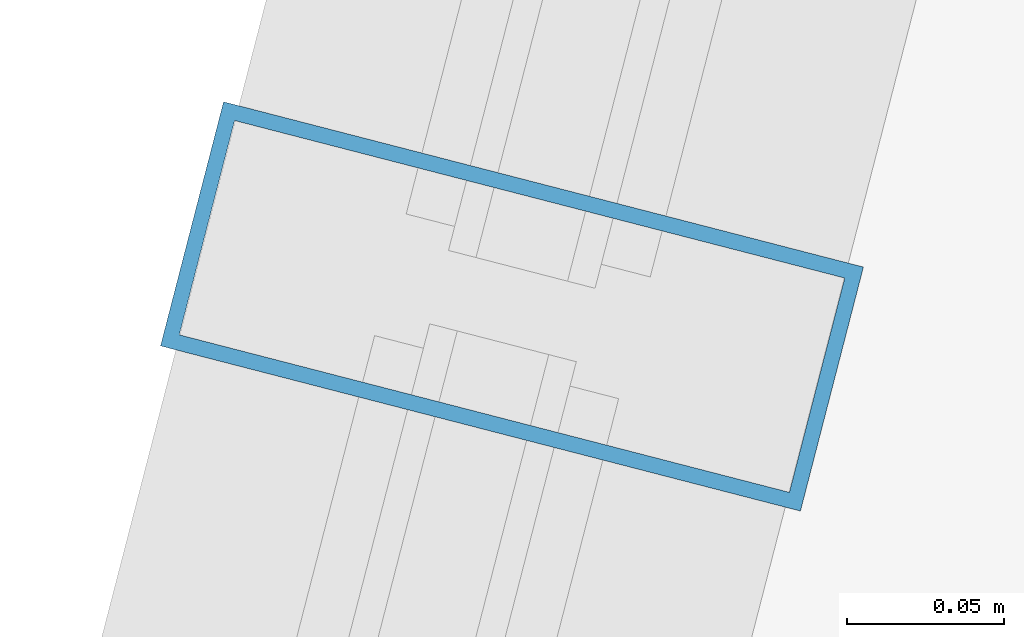
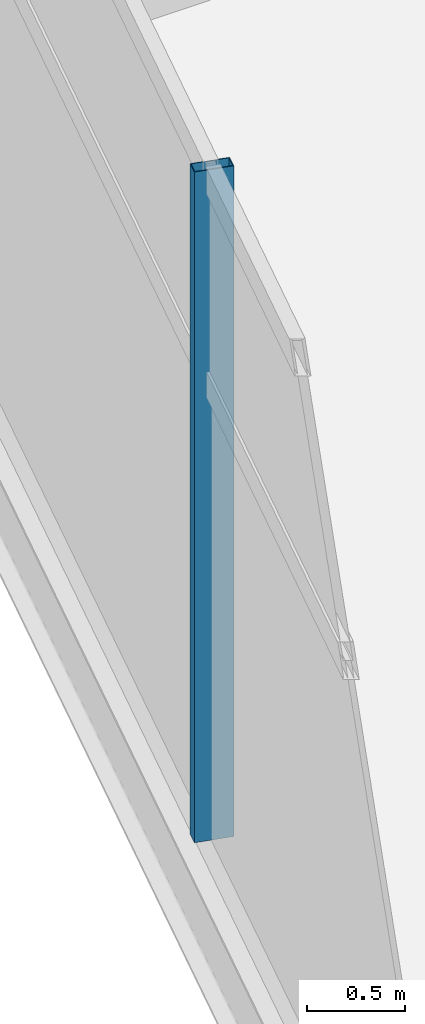
# One storey, part 52 of 184: 1 member, 1 element without a shape of its own.
"""IFC4 building model written with IfcOpenShell, lengths in metres."""

from ifc_helpers import new_model, si_unit, direction, frame, origin, origin_2d, place, context, subcontext, project, spatial, hollow_rectangle, extrude, material, layer, layer_set, material_profile, profile_set, type_object, element, aggregate, save


model = new_model("IFC4")

# Units and contexts
model_context = context("Model", 3, precision=1e-05, world=origin(), true_north=direction((0.0, 1.0)))
body_context = subcontext(model_context, "Body", "Model", "MODEL_VIEW")
ifc_project = project(units=[si_unit("LENGTHUNIT", "METRE"), si_unit("AREAUNIT", "SQUARE_METRE"), si_unit("VOLUMEUNIT", "CUBIC_METRE"), si_unit("PLANEANGLEUNIT", "RADIAN"), si_unit("MASSUNIT", "GRAM", prefix="KILO")], contexts=[model_context])

# Site, building, storey
site_placement = place(None, origin())
site = spatial("IfcSite", under=ifc_project, at=site_placement, CompositionType="ELEMENT")
building_placement = place(site_placement, origin())
building = spatial("IfcBuilding", under=site, at=building_placement, Name="Kazemori Nagisa Stadium", CompositionType="ELEMENT")
storey_placement = place(building_placement, frame((0.0, 0.0, 10.5400390625)))
storey = spatial("IfcBuildingStorey", under=building, at=storey_placement, Name="L02", CompositionType="ELEMENT", Elevation=10.5400390625)

# Curtain wall, member
ifc_material_1 = material(Name="Anodised aluminium 6063-T5", Category="aluminium")
ifc_layer = layer(ifc_material_1, 0.2099609375, Name="Anodised aluminium 6063-T5", Category="aluminium")
ifc_layer_set = layer_set([ifc_layer], Name="Anodised aluminium 6063-T5")
curtain_wall_type = type_object("IfcCurtainWallType", Name="CW_L02R3_96", PredefinedType="USERDEFINED", material=ifc_layer_set)
curtain_wall_placement = place(storey_placement, origin())
curtain_wall = element("IfcCurtainWall", 1, at=curtain_wall_placement, inside=storey, type_object=curtain_wall_type, Name="Unitised curtain wall CW-L02R3-96 L02", ObjectType="UNITISED CURTAIN WALL", PredefinedType="USERDEFINED")
ifc_material_2 = material(Name="Aluminium 6063-T5 anodised", Category="aluminium")
ifc_material_profile = material_profile(ifc_material_2, hollow_rectangle(XDim=0.080078125, YDim=0.2099609375, WallThickness=0.0048828125, at=origin_2d()), Name="ALU-MULL-80x210x5")
ifc_profile_set = profile_set([ifc_material_profile], Name="Aluminium 6063-T5 anodised")
member_type = type_object("IfcMemberType", Name="Mullion_M02", PredefinedType="MULLION", material=ifc_profile_set)
member_placement = place(storey_placement, frame((26.41259765625, 134.1552734375, 0.0), z_axis=(0.0, 0.0, 1.0), x_axis=(-0.249964642418, -0.968254965152, 0.0)))
member = element("IfcMember", 2, at=member_placement, type_object=member_type, Name="Curtain wall mullion CW-L02R3-96-M2", PredefinedType="MULLION", context=body_context, shape_type="SweptSolid", body=[
    extrude(hollow_rectangle(XDim=0.080078125, YDim=0.2099609375, WallThickness=0.0048828125, at=origin_2d()), origin(), (0.0, 0.0, 1.0), 4.18994140625),
])
aggregate(curtain_wall, [member])

save(model, "model.ifc")
